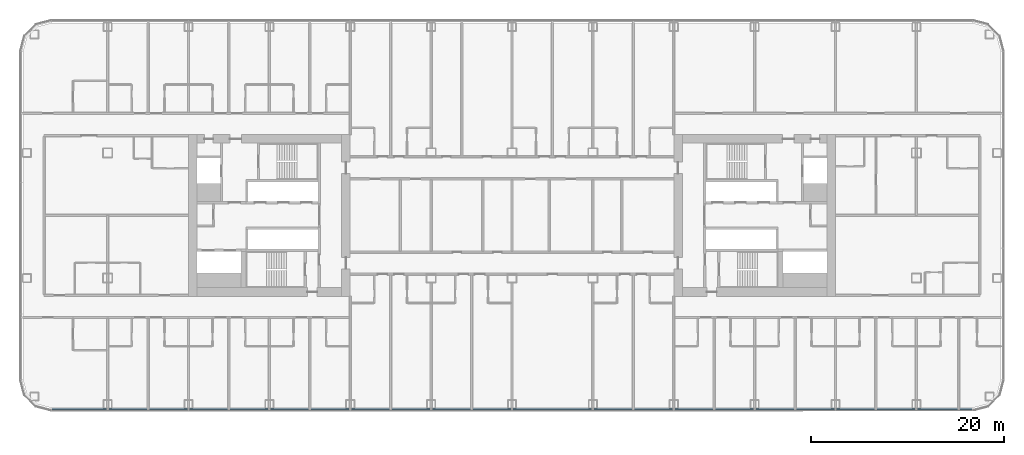
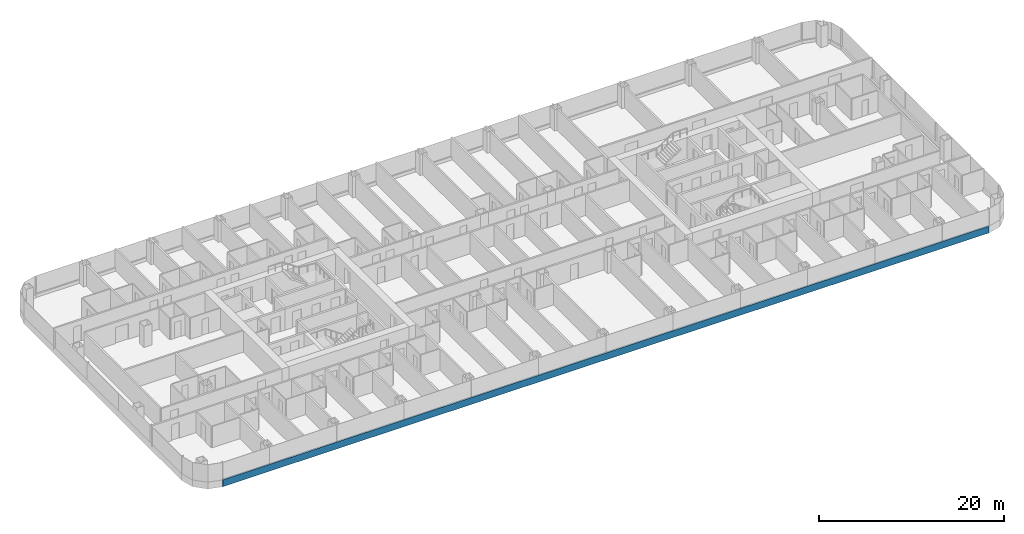
# One storey, part 5 of 29: 1 member, 1 element without a shape of its own.
"""IFC4 building model written with IfcOpenShell, lengths in metres."""

from ifc_helpers import new_model, si_unit, direction, frame, origin, origin_2d, place, context, subcontext, project, spatial, rectangle, extrude, material, layer, layer_set, material_profile, profile_set, type_object, element, aggregate, save


model = new_model("IFC4")

# Units and contexts
model_context = context("Model", 3, precision=1e-05, world=origin(), true_north=direction((0.0, 1.0)))
body_context = subcontext(model_context, "Body", "Model", "MODEL_VIEW")
ifc_project = project(units=[si_unit("LENGTHUNIT", "METRE"), si_unit("AREAUNIT", "SQUARE_METRE"), si_unit("VOLUMEUNIT", "CUBIC_METRE"), si_unit("PLANEANGLEUNIT", "RADIAN"), si_unit("MASSUNIT", "GRAM", prefix="KILO")], contexts=[model_context])

# Site, building, storey
site_placement = place(None, origin())
site = spatial("IfcSite", under=ifc_project, at=site_placement, CompositionType="ELEMENT")
building_placement = place(site_placement, origin())
building = spatial("IfcBuilding", under=site, at=building_placement, Name="Hakoniwa Tower and Hamabe Station Hall", CompositionType="ELEMENT")
storey_placement = place(building_placement, frame((0.0, 0.0, 23.0)))
storey = spatial("IfcBuildingStorey", under=building, at=storey_placement, Name="L05", CompositionType="ELEMENT", Elevation=23.0)

# Curtain wall, member
ifc_material_1 = material(Name="Dark low-e laminated glass", Category="glass")
ifc_layer = layer(ifc_material_1, 0.199951171875)
ifc_layer_set = layer_set([ifc_layer], Name="CW-1 UNITISED GUEST")
curtain_wall_type = type_object("IfcCurtainWallType", Name="CW-1 UNITISED GUEST", PredefinedType="NOTDEFINED", material=ifc_layer_set)
curtain_wall_placement = place(storey_placement, origin())
curtain_wall = element("IfcCurtainWall", 1, at=curtain_wall_placement, inside=storey, type_object=curtain_wall_type, Name="CW-1 curtain wall", PredefinedType="NOTDEFINED")
ifc_material_2 = material(Name="Aluminium 6063-T5 black anodised", Category="aluminium")
ifc_material_profile = material_profile(ifc_material_2, rectangle(XDim=0.199951171875, YDim=0.89990234375, at=origin_2d()), Name="CW SLAB-EDGE BAND 900X200")
ifc_profile_set = profile_set([ifc_material_profile], Name="Aluminium 6063-T5 black anodised")
member_type = type_object("IfcMemberType", Name="CW SLAB-EDGE BAND 900X200", PredefinedType="USERDEFINED", material=ifc_profile_set)
member_placement = place(storey_placement, frame((-47.839599609375, -20.199951171875, -0.10009765625), z_axis=(1.0, 0.0, 0.0), x_axis=(0.0, 1.0, 0.0)))
member = element("IfcMember", 2, at=member_placement, type_object=member_type, Name="CW-1 transom", ObjectType="TRANSOM", PredefinedType="USERDEFINED", context=body_context, shape_type="SweptSolid", body=[
    extrude(rectangle(XDim=0.199951171875, YDim=0.89990234375, at=origin_2d()), origin(), (0.0, 0.0, 1.0), 95.67919921875),
])
aggregate(curtain_wall, [member])

save(model, "model.ifc")
